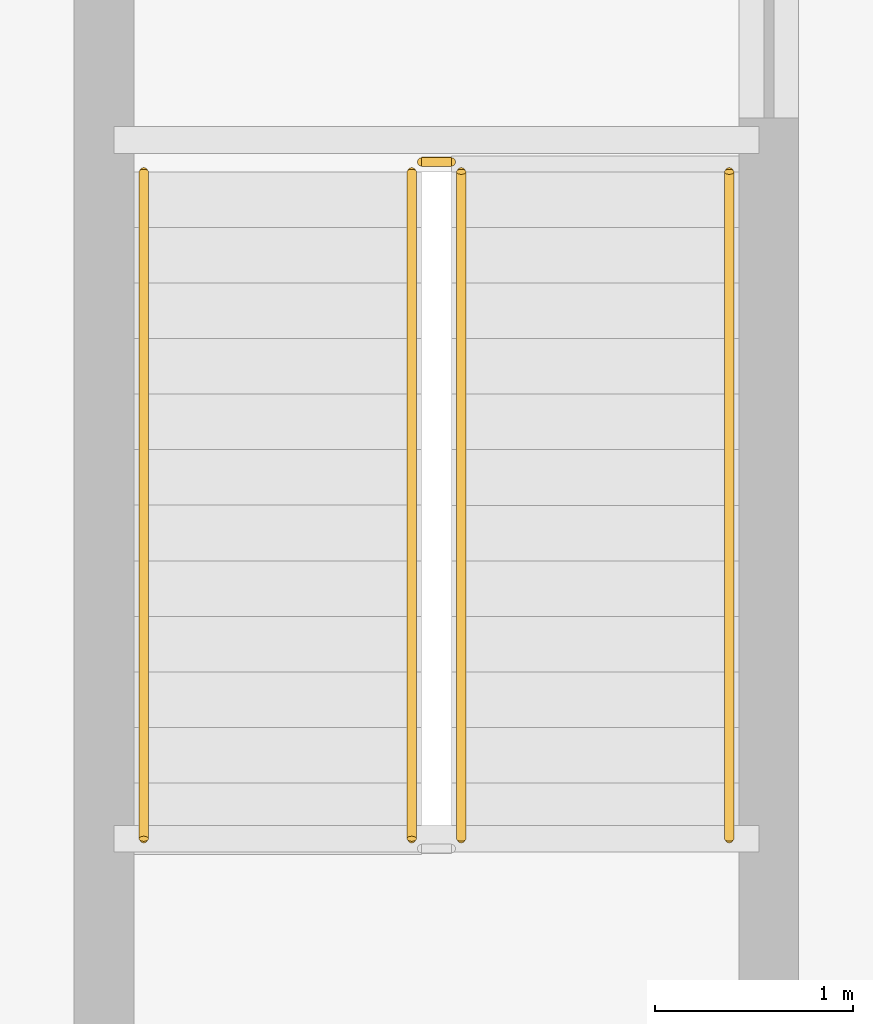
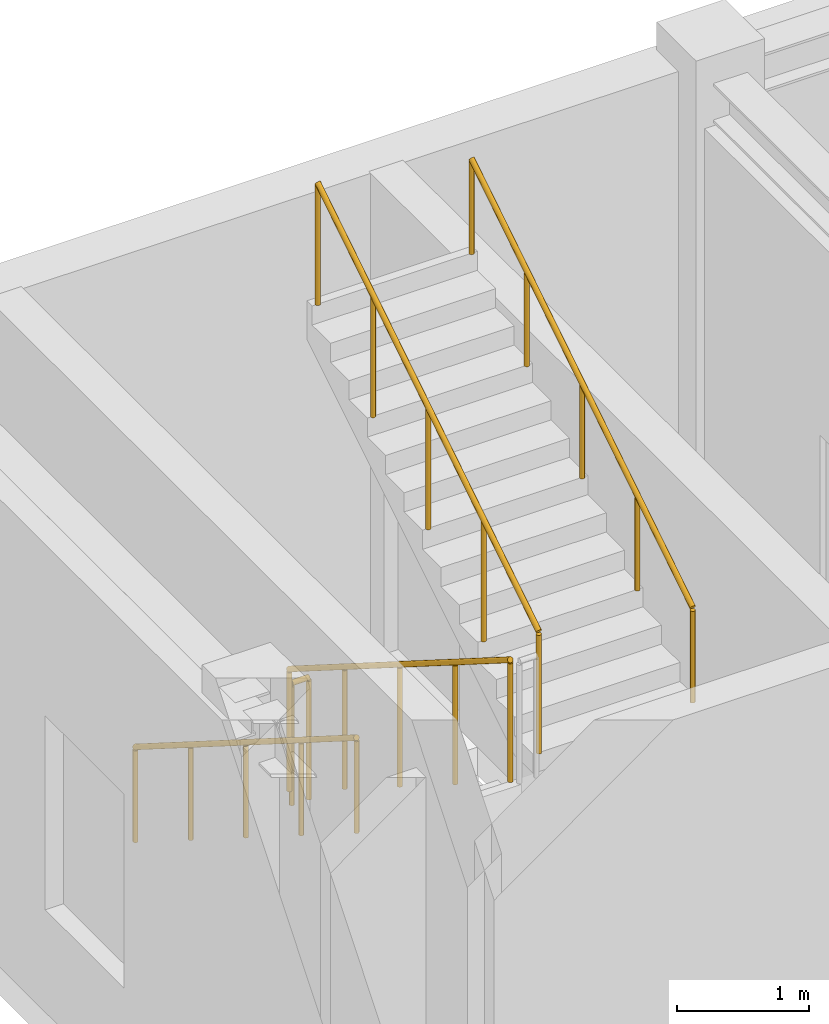
# One storey, part 23 of 23: 5 railings.
"""IFC4 building model written with IfcOpenShell, lengths in metres."""

from ifc_helpers import new_model, si_unit, direction, frame, origin, origin_2d, place, context, subcontext, project, spatial, circle, extrude, material, type_object, element, save


model = new_model("IFC4")

# Units and contexts
model_context = context("Model", 3, precision=1e-05, world=origin(), true_north=direction((0.0, 1.0)))
body_context = subcontext(model_context, "Body", "Model", "MODEL_VIEW")
ifc_project = project(units=[si_unit("LENGTHUNIT", "METRE"), si_unit("AREAUNIT", "SQUARE_METRE"), si_unit("VOLUMEUNIT", "CUBIC_METRE"), si_unit("PLANEANGLEUNIT", "RADIAN"), si_unit("MASSUNIT", "GRAM", prefix="KILO")], contexts=[model_context])

# Site, building, storey
site_placement = place(None, origin())
site = spatial("IfcSite", under=ifc_project, at=site_placement, CompositionType="ELEMENT")
building_placement = place(site_placement, origin())
building = spatial("IfcBuilding", under=site, at=building_placement, Name="Kranzbogen Civic Tower", CompositionType="ELEMENT")
storey_placement = place(building_placement, frame((0.0, 0.0, 9.800048828125)))
storey = spatial("IfcBuildingStorey", under=building, at=storey_placement, Name="L02", CompositionType="ELEMENT", Elevation=9.800048828125)

# Railings
ifc_material_1 = material(Name="Steel S355", Category="steel")
railing_type_1 = type_object("IfcRailingType", Name="Internal Stair and Void Steel Guardrail 1150", PredefinedType="GUARDRAIL", material=ifc_material_1)
railing_1_placement = place(storey_placement, frame((54.949951171875, 41.0, 0.1767578125)))
element("IfcRailing", 1, at=railing_1_placement, inside=storey, type_object=railing_type_1, Name="L02 ST-H2 stair guard 1", PredefinedType="GUARDRAIL", context=body_context, shape_type="SweptSolid", body=[
    extrude(circle(Radius=0.02392578125, at=origin_2d()), frame((0.0, 0.0, 1.1259765625), z_axis=(0.0, -0.845361898145, 0.534194029511), x_axis=(1.0, 0.0, 0.0)), (0.0, 0.0, 1.0), 3.974853515625),
    extrude(circle(Radius=0.02099609375, at=origin_2d()), origin(), (0.0, 0.0, 1.0), 1.101806640625),
    extrude(circle(Radius=0.02099609375, at=origin_2d()), frame((0.0, -0.840087890625, 0.53076171875)), (0.0, 0.0, 1.0), 1.101806640625),
    extrude(circle(Radius=0.02099609375, at=origin_2d()), frame((0.0, -1.68017578125, 1.0615234375)), (0.0, 0.0, 1.0), 1.101806640625),
    extrude(circle(Radius=0.02099609375, at=origin_2d()), frame((0.0, -2.52001953125, 1.592529296875)), (0.0, 0.0, 1.0), 1.101806640625),
    extrude(circle(Radius=0.02099609375, at=origin_2d()), frame((0.0, -3.360107421875, 2.123291015625)), (0.0, 0.0, 1.0), 1.101806640625),
])
railing_2_placement = place(storey_placement, frame((55.199951171875, 37.639892578125, 2.476806640625)))
element("IfcRailing", 2, at=railing_2_placement, inside=storey, type_object=railing_type_1, Name="L02 ST-H2 stair guard 3", PredefinedType="GUARDRAIL", context=body_context, shape_type="SweptSolid", body=[
    extrude(circle(Radius=0.02392578125, at=origin_2d()), frame((0.0, 0.0, 1.1259765625), z_axis=(0.0, 0.845389635667, 0.534150132366), x_axis=(-1.0, 0.0, 0.0)), (0.0, 0.0, 1.0), 3.974609375),
    extrude(circle(Radius=0.02099609375, at=origin_2d()), origin(), (0.0, 0.0, 1.0), 1.101806640625),
    extrude(circle(Radius=0.02099609375, at=origin_2d()), frame((0.0, 0.840087890625, 0.53076171875)), (0.0, 0.0, 1.0), 1.101806640625),
    extrude(circle(Radius=0.02099609375, at=origin_2d()), frame((0.0, 1.68017578125, 1.0615234375)), (0.0, 0.0, 1.0), 1.101806640625),
    extrude(circle(Radius=0.02099609375, at=origin_2d()), frame((0.0, 2.52001953125, 1.59228515625)), (0.0, 0.0, 1.0), 1.101806640625),
    extrude(circle(Radius=0.02099609375, at=origin_2d()), frame((0.0, 3.360107421875, 2.123046875)), (0.0, 0.0, 1.0), 1.101806640625),
])
railing_3_placement = place(storey_placement, frame((55.0, 41.050048828125, 0.0)))
element("IfcRailing", 3, at=railing_3_placement, inside=storey, type_object=railing_type_1, Name="L02 ST-H2 stair guard 4", PredefinedType="GUARDRAIL", context=body_context, shape_type="SweptSolid", body=[
    extrude(circle(Radius=0.02392578125, at=origin_2d()), frame((0.0, 0.0, 1.1259765625), z_axis=(1.0, 0.0, 0.0), x_axis=(0.0, 1.0, 0.0)), (0.0, 0.0, 1.0), 0.14990234375),
    extrude(circle(Radius=0.02099609375, at=origin_2d()), origin(), (0.0, 0.0, 1.0), 1.101806640625),
    extrude(circle(Radius=0.02099609375, at=origin_2d()), frame((0.14990234375, 0.0, 0.0)), (0.0, 0.0, 1.0), 1.101806640625),
])
ifc_material_2 = material(Name="Pale Anodised Aluminium", Category="aluminium")
railing_type_2 = type_object("IfcRailingType", Name="Tubular Stainless Stair Wall Handrail 900", PredefinedType="HANDRAIL", material=ifc_material_2)
railing_4_placement = place(storey_placement, frame((53.60009765625, 41.0, 0.1767578125)))
element("IfcRailing", 4, at=railing_4_placement, inside=storey, type_object=railing_type_2, Name="L02 ST-H2 stair handrail 1", PredefinedType="HANDRAIL", context=body_context, shape_type="SweptSolid", body=[
    extrude(circle(Radius=0.02392578125, at=origin_2d()), frame((0.0, 0.0, 0.8759765625), z_axis=(0.0, -0.845361898145, 0.534194029511), x_axis=(1.0, 0.0, 0.0)), (0.0, 0.0, 1.0), 3.974853515625),
    extrude(circle(Radius=0.02099609375, at=origin_2d()), origin(), (0.0, 0.0, 1.0), 0.851806640625),
    extrude(circle(Radius=0.02099609375, at=origin_2d()), frame((0.0, -0.840087890625, 0.53076171875)), (0.0, 0.0, 1.0), 0.851806640625),
    extrude(circle(Radius=0.02099609375, at=origin_2d()), frame((0.0, -1.68017578125, 1.0615234375)), (0.0, 0.0, 1.0), 0.851806640625),
    extrude(circle(Radius=0.02099609375, at=origin_2d()), frame((0.0, -2.52001953125, 1.592529296875)), (0.0, 0.0, 1.0), 0.851806640625),
    extrude(circle(Radius=0.02099609375, at=origin_2d()), frame((0.0, -3.360107421875, 2.123291015625)), (0.0, 0.0, 1.0), 0.851806640625),
])
railing_5_placement = place(storey_placement, frame((56.550048828125, 37.639892578125, 2.476806640625)))
element("IfcRailing", 5, at=railing_5_placement, inside=storey, type_object=railing_type_2, Name="L02 ST-H2 stair handrail 2", PredefinedType="HANDRAIL", context=body_context, shape_type="SweptSolid", body=[
    extrude(circle(Radius=0.02392578125, at=origin_2d()), frame((0.0, 0.0, 0.8759765625), z_axis=(0.0, 0.845389635667, 0.534150132366), x_axis=(-1.0, 0.0, 0.0)), (0.0, 0.0, 1.0), 3.974609375),
    extrude(circle(Radius=0.02099609375, at=origin_2d()), origin(), (0.0, 0.0, 1.0), 0.851806640625),
    extrude(circle(Radius=0.02099609375, at=origin_2d()), frame((0.0, 0.840087890625, 0.53076171875)), (0.0, 0.0, 1.0), 0.851806640625),
    extrude(circle(Radius=0.02099609375, at=origin_2d()), frame((0.0, 1.68017578125, 1.0615234375)), (0.0, 0.0, 1.0), 0.851806640625),
    extrude(circle(Radius=0.02099609375, at=origin_2d()), frame((0.0, 2.52001953125, 1.59228515625)), (0.0, 0.0, 1.0), 0.851806640625),
    extrude(circle(Radius=0.02099609375, at=origin_2d()), frame((0.0, 3.360107421875, 2.123046875)), (0.0, 0.0, 1.0), 0.851806640625),
])

save(model, "model.ifc")
